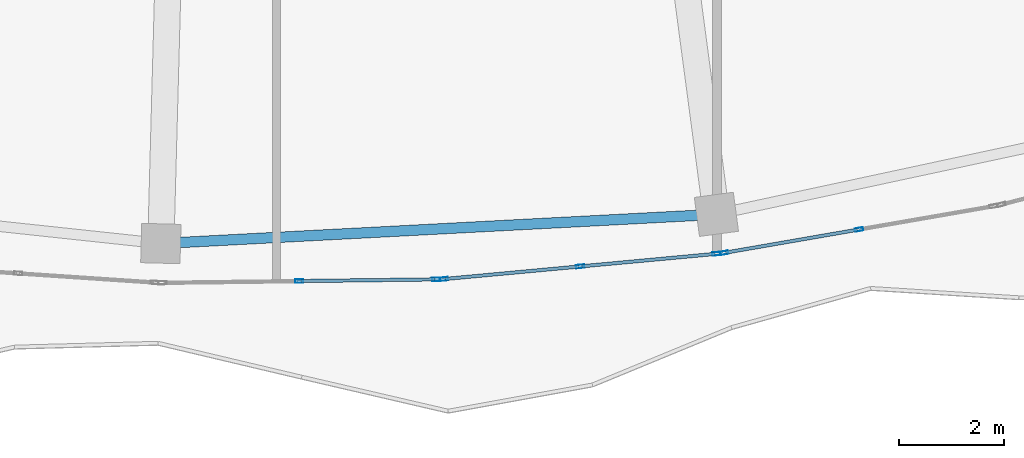
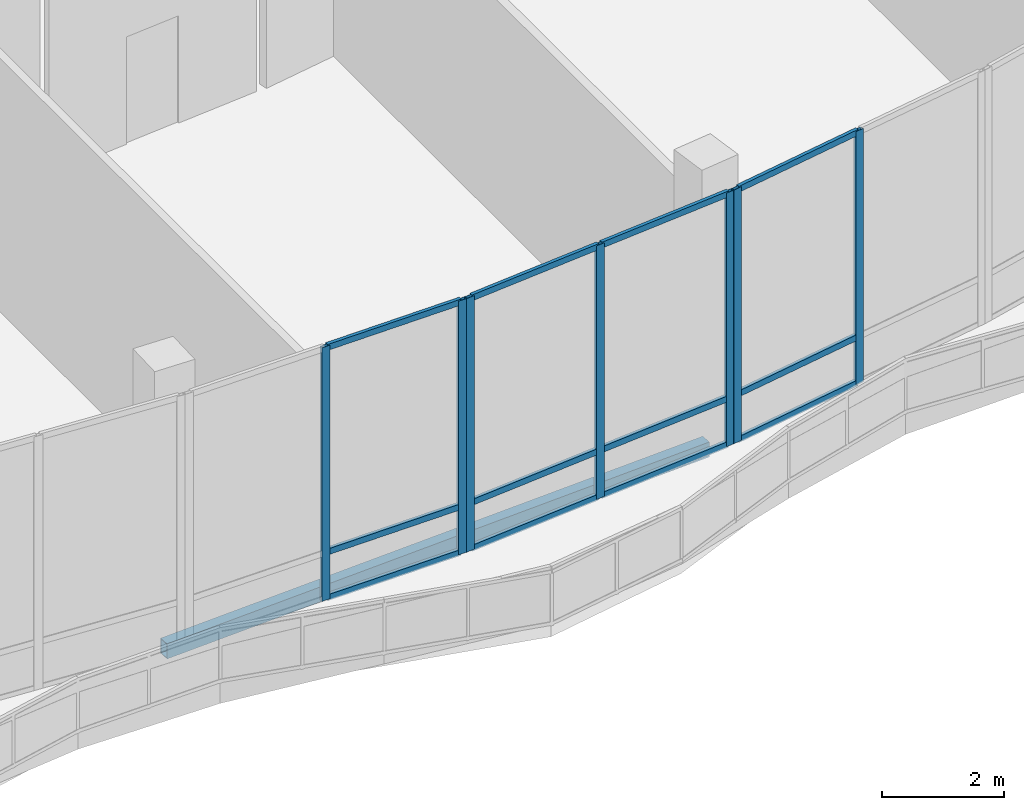
# One storey, part 27 of 158: 19 members, 1 beam, 3 elements without a shape of their own.
"""IFC4 building model written with IfcOpenShell, lengths in metres."""

from ifc_helpers import new_model, si_unit, direction, frame, origin, origin_2d, place, context, subcontext, project, spatial, hollow_rectangle, extrude, material, material_profile, profile_set, type_object, element, aggregate, save


model = new_model("IFC4")

# Units and contexts
model_context = context("Model", 3, precision=1e-05, world=origin(), true_north=direction((0.0, 1.0)))
body_context = subcontext(model_context, "Body", "Model", "MODEL_VIEW")
ifc_project = project(units=[si_unit("LENGTHUNIT", "METRE"), si_unit("AREAUNIT", "SQUARE_METRE"), si_unit("VOLUMEUNIT", "CUBIC_METRE"), si_unit("PLANEANGLEUNIT", "RADIAN"), si_unit("MASSUNIT", "GRAM", prefix="KILO")], contexts=[model_context])

# Site, building, storey
site_placement = place(None, origin())
site = spatial("IfcSite", under=ifc_project, at=site_placement, CompositionType="ELEMENT")
building_placement = place(site_placement, origin())
building = spatial("IfcBuilding", under=site, at=building_placement, Name="Selatvlak General Hospital", CompositionType="ELEMENT")
storey_placement = place(building_placement, origin())
storey = spatial("IfcBuildingStorey", under=building, at=storey_placement, Name="L00", CompositionType="ELEMENT", Elevation=0.0)

# Beam
ifc_material_1 = material(Name="Steel S355", Category="steel")
ifc_material_profile_1 = material_profile(ifc_material_1, hollow_rectangle(XDim=0.199951171875, YDim=0.300048828125, WallThickness=0.011962890625, at=origin_2d()), Name="RHS 300x200x12")
ifc_profile_set_1 = profile_set([ifc_material_profile_1], Name="Steel S355")
beam_type = type_object("IfcBeamType", Name="BM-SP3", PredefinedType="SPANDREL", material=ifc_profile_set_1)
beam_placement = place(storey_placement, frame((54.196044921875, 12.77490234375, -0.5), z_axis=(0.998624623926, 0.052429576466, 0.0), x_axis=(-0.052429576466, 0.998624623926, 0.0)))
element("IfcBeam", 1, at=beam_placement, inside=storey, type_object=beam_type, Name="Beam BMR-L00-0371", PredefinedType="SPANDREL", context=body_context, shape_type="SweptSolid", body=[
    extrude(hollow_rectangle(XDim=0.199951171875, YDim=0.300048828125, WallThickness=0.011962890625, at=origin_2d()), origin(), (0.0, 0.0, 1.0), 10.607666015625),
])

# Curtain wall, members
ifc_material_2 = material(Name="Solar-control Low-E double glazing", Category="glass")
curtain_wall_type_1 = type_object("IfcCurtainWallType", Name="CW-CW-02", PredefinedType="USERDEFINED", material=ifc_material_2)
curtain_wall_1_placement = place(storey_placement, origin())
curtain_wall_1 = element("IfcCurtainWall", 2, at=curtain_wall_1_placement, inside=storey, type_object=curtain_wall_type_1, Name="Glazed facade curtain wall CW-L00-0052", ObjectType="UNITISED CURTAIN WALL", PredefinedType="USERDEFINED")
ifc_material_3 = material(Name="Dark anodised aluminium mullion", Category="aluminium")
ifc_material_profile_2 = material_profile(ifc_material_3, hollow_rectangle(XDim=0.06494140625, YDim=0.159912109375, WallThickness=0.00390625, at=origin_2d()), Name="AL-MUL 65x160x4")
ifc_profile_set_2 = profile_set([ifc_material_profile_2], Name="Dark anodised aluminium mullion")
member_type_1 = type_object("IfcMemberType", Name="CWM-01", PredefinedType="MULLION", material=ifc_profile_set_2)
member_1_placement = place(storey_placement, frame((67.508056640625, 13.04248046875, 0.0), z_axis=(0.0, 0.0, 1.0), x_axis=(0.170838151242, -0.985299104881, 0.0)))
member_1 = element("IfcMember", 3, at=member_1_placement, type_object=member_type_1, Name="CW-02 mullion 2", PredefinedType="MULLION", context=body_context, shape_type="SweptSolid", body=[
    extrude(hollow_rectangle(XDim=0.06494140625, YDim=0.159912109375, WallThickness=0.00390625, at=origin_2d()), origin(), (0.0, 0.0, 1.0), 5.080078125),
])
member_2_placement = place(storey_placement, frame((64.93603515625, 12.596435546875, 0.0), z_axis=(0.0, 0.0, 1.0), x_axis=(0.170838151242, -0.985299104881, 0.0)))
member_2 = element("IfcMember", 4, at=member_2_placement, type_object=member_type_1, Name="CW-02 mullion 3", PredefinedType="MULLION", context=body_context, shape_type="SweptSolid", body=[
    extrude(hollow_rectangle(XDim=0.06494140625, YDim=0.159912109375, WallThickness=0.00390625, at=origin_2d()), origin(), (0.0, 0.0, 1.0), 5.080078125),
])

curtain_wall_type_2 = type_object("IfcCurtainWallType", Name="CW-CW-01", PredefinedType="USERDEFINED", material=ifc_material_2)
curtain_wall_2_placement = place(storey_placement, origin())
curtain_wall_2 = element("IfcCurtainWall", 5, at=curtain_wall_2_placement, inside=storey, type_object=curtain_wall_type_2, Name="Glazed facade curtain wall CW-L00-0053", ObjectType="UNITISED CURTAIN WALL", PredefinedType="USERDEFINED")
member_3_placement = place(storey_placement, frame((64.791748046875, 12.5791015625, 0.0), z_axis=(0.0, 0.0, 1.0), x_axis=(0.092291967773, -0.995731988381, 0.0)))
member_3 = element("IfcMember", 6, at=member_3_placement, type_object=member_type_1, Name="CW-01 mullion 1", PredefinedType="MULLION", context=body_context, shape_type="SweptSolid", body=[
    extrude(hollow_rectangle(XDim=0.06494140625, YDim=0.159912109375, WallThickness=0.00390625, at=origin_2d()), origin(), (0.0, 0.0, 1.0), 5.080078125),
])
member_4_placement = place(storey_placement, frame((62.19140625, 12.337890625, 0.0), z_axis=(0.0, 0.0, 1.0), x_axis=(0.092291967773, -0.995731988381, 0.0)))
member_4 = element("IfcMember", 7, at=member_4_placement, type_object=member_type_1, Name="CW-01 mullion 2", PredefinedType="MULLION", context=body_context, shape_type="SweptSolid", body=[
    extrude(hollow_rectangle(XDim=0.06494140625, YDim=0.159912109375, WallThickness=0.00390625, at=origin_2d()), origin(), (0.0, 0.0, 1.0), 5.080078125),
])
member_5_placement = place(storey_placement, frame((59.59130859375, 12.096923828125, 0.0), z_axis=(0.0, 0.0, 1.0), x_axis=(0.092291967773, -0.995731988381, 0.0)))
member_5 = element("IfcMember", 8, at=member_5_placement, type_object=member_type_1, Name="CW-01 mullion 3", PredefinedType="MULLION", context=body_context, shape_type="SweptSolid", body=[
    extrude(hollow_rectangle(XDim=0.06494140625, YDim=0.159912109375, WallThickness=0.00390625, at=origin_2d()), origin(), (0.0, 0.0, 1.0), 5.080078125),
])

curtain_wall_3_placement = place(storey_placement, origin())
curtain_wall_3 = element("IfcCurtainWall", 9, at=curtain_wall_3_placement, inside=storey, type_object=curtain_wall_type_1, Name="Glazed facade curtain wall CW-L00-0054", ObjectType="UNITISED CURTAIN WALL", PredefinedType="USERDEFINED")
member_6_placement = place(storey_placement, frame((59.446533203125, 12.091552734375, 0.0), z_axis=(0.0, 0.0, 1.0), x_axis=(0.012671575694, -0.999919712362, 0.0)))
member_6 = element("IfcMember", 10, at=member_6_placement, type_object=member_type_1, Name="CW-02 mullion 1", PredefinedType="MULLION", context=body_context, shape_type="SweptSolid", body=[
    extrude(hollow_rectangle(XDim=0.06494140625, YDim=0.159912109375, WallThickness=0.00390625, at=origin_2d()), origin(), (0.0, 0.0, 1.0), 5.080078125),
])
member_7_placement = place(storey_placement, frame((56.83544921875, 12.05859375, 0.0), z_axis=(0.0, 0.0, 1.0), x_axis=(0.012671575694, -0.999919712362, 0.0)))
member_7 = element("IfcMember", 11, at=member_7_placement, type_object=member_type_1, Name="CW-02 mullion 2", PredefinedType="MULLION", context=body_context, shape_type="SweptSolid", body=[
    extrude(hollow_rectangle(XDim=0.06494140625, YDim=0.159912109375, WallThickness=0.00390625, at=origin_2d()), origin(), (0.0, 0.0, 1.0), 5.080078125),
])

# Member
ifc_material_profile_3 = material_profile(ifc_material_3, hollow_rectangle(XDim=0.06494140625, YDim=0.1201171875, WallThickness=0.00390625, at=origin_2d()), Name="AL-TRN 65x120x4")
ifc_profile_set_3 = profile_set([ifc_material_profile_3], Name="Dark anodised aluminium mullion")
member_type_2 = type_object("IfcMemberType", Name="CWT-01", PredefinedType="USERDEFINED", material=ifc_profile_set_3)
member_8_placement = place(storey_placement, frame((67.47607421875, 13.036865234375, 0.032470703125), z_axis=(-0.985302424737, -0.170819003062, 0.0), x_axis=(0.170819003062, -0.985302424737, 0.0)))
member_8 = element("IfcMember", 12, at=member_8_placement, type_object=member_type_2, Name="CW-02 transom 2.1", ObjectType="TRANSOM", PredefinedType="USERDEFINED", context=body_context, shape_type="SweptSolid", body=[
    extrude(hollow_rectangle(XDim=0.06494140625, YDim=0.1201171875, WallThickness=0.00390625, at=origin_2d()), origin(), (0.0, 0.0, 1.0), 2.54541015625),
])

member_9_placement = place(storey_placement, frame((67.47607421875, 13.036865234375, 0.949951171875), z_axis=(-0.985302424737, -0.170819003062, 0.0), x_axis=(0.170819003062, -0.985302424737, 0.0)))
member_9 = element("IfcMember", 13, at=member_9_placement, type_object=member_type_2, Name="CW-02 transom 2.2", ObjectType="TRANSOM", PredefinedType="USERDEFINED", context=body_context, shape_type="SweptSolid", body=[
    extrude(hollow_rectangle(XDim=0.06494140625, YDim=0.1201171875, WallThickness=0.00390625, at=origin_2d()), origin(), (0.0, 0.0, 1.0), 2.54541015625),
])

member_10_placement = place(storey_placement, frame((67.47607421875, 13.036865234375, 5.047607421875), z_axis=(-0.985302424737, -0.170819003062, 0.0), x_axis=(0.170819003062, -0.985302424737, 0.0)))
member_10 = element("IfcMember", 14, at=member_10_placement, type_object=member_type_2, Name="CW-02 transom 2.3", ObjectType="TRANSOM", PredefinedType="USERDEFINED", context=body_context, shape_type="SweptSolid", body=[
    extrude(hollow_rectangle(XDim=0.06494140625, YDim=0.1201171875, WallThickness=0.00390625, at=origin_2d()), origin(), (0.0, 0.0, 1.0), 2.54541015625),
])

aggregate(curtain_wall_1, [member_1, member_2, member_8, member_9, member_10])

member_11_placement = place(storey_placement, frame((64.75927734375, 12.575927734375, 0.032470703125), z_axis=(-0.995736924013, -0.092238702061, 0.0), x_axis=(0.092238702061, -0.995736924013, 0.0)))
member_11 = element("IfcMember", 15, at=member_11_placement, type_object=member_type_2, Name="CW-01 transom 1.1", ObjectType="TRANSOM", PredefinedType="USERDEFINED", context=body_context, shape_type="SweptSolid", body=[
    extrude(hollow_rectangle(XDim=0.06494140625, YDim=0.1201171875, WallThickness=0.00390625, at=origin_2d()), origin(), (0.0, 0.0, 1.0), 2.546142578125),
])

member_12_placement = place(storey_placement, frame((64.75927734375, 12.575927734375, 0.949951171875), z_axis=(-0.995736924013, -0.092238702061, 0.0), x_axis=(0.092238702061, -0.995736924013, 0.0)))
member_12 = element("IfcMember", 16, at=member_12_placement, type_object=member_type_2, Name="CW-01 transom 1.2", ObjectType="TRANSOM", PredefinedType="USERDEFINED", context=body_context, shape_type="SweptSolid", body=[
    extrude(hollow_rectangle(XDim=0.06494140625, YDim=0.1201171875, WallThickness=0.00390625, at=origin_2d()), origin(), (0.0, 0.0, 1.0), 2.546142578125),
])

member_13_placement = place(storey_placement, frame((64.75927734375, 12.575927734375, 5.047607421875), z_axis=(-0.995736924013, -0.092238702061, 0.0), x_axis=(0.092238702061, -0.995736924013, 0.0)))
member_13 = element("IfcMember", 17, at=member_13_placement, type_object=member_type_2, Name="CW-01 transom 1.3", ObjectType="TRANSOM", PredefinedType="USERDEFINED", context=body_context, shape_type="SweptSolid", body=[
    extrude(hollow_rectangle(XDim=0.06494140625, YDim=0.1201171875, WallThickness=0.00390625, at=origin_2d()), origin(), (0.0, 0.0, 1.0), 2.546142578125),
])

member_14_placement = place(storey_placement, frame((62.1591796875, 12.3349609375, 0.032470703125), z_axis=(-0.995736924013, -0.092238702061, 0.0), x_axis=(0.092238702061, -0.995736924013, 0.0)))
member_14 = element("IfcMember", 18, at=member_14_placement, type_object=member_type_2, Name="CW-01 transom 2.1", ObjectType="TRANSOM", PredefinedType="USERDEFINED", context=body_context, shape_type="SweptSolid", body=[
    extrude(hollow_rectangle(XDim=0.06494140625, YDim=0.1201171875, WallThickness=0.00390625, at=origin_2d()), origin(), (0.0, 0.0, 1.0), 2.546142578125),
])

member_15_placement = place(storey_placement, frame((62.1591796875, 12.3349609375, 0.949951171875), z_axis=(-0.995736924013, -0.092238702061, 0.0), x_axis=(0.092238702061, -0.995736924013, 0.0)))
member_15 = element("IfcMember", 19, at=member_15_placement, type_object=member_type_2, Name="CW-01 transom 2.2", ObjectType="TRANSOM", PredefinedType="USERDEFINED", context=body_context, shape_type="SweptSolid", body=[
    extrude(hollow_rectangle(XDim=0.06494140625, YDim=0.1201171875, WallThickness=0.00390625, at=origin_2d()), origin(), (0.0, 0.0, 1.0), 2.546142578125),
])

member_16_placement = place(storey_placement, frame((62.1591796875, 12.3349609375, 5.047607421875), z_axis=(-0.995736924013, -0.092238702061, 0.0), x_axis=(0.092238702061, -0.995736924013, 0.0)))
member_16 = element("IfcMember", 20, at=member_16_placement, type_object=member_type_2, Name="CW-01 transom 2.3", ObjectType="TRANSOM", PredefinedType="USERDEFINED", context=body_context, shape_type="SweptSolid", body=[
    extrude(hollow_rectangle(XDim=0.06494140625, YDim=0.1201171875, WallThickness=0.00390625, at=origin_2d()), origin(), (0.0, 0.0, 1.0), 2.546142578125),
])

aggregate(curtain_wall_2, [member_3, member_4, member_5, member_11, member_12, member_13, member_14, member_15, member_16])

member_17_placement = place(storey_placement, frame((59.4140625, 12.091064453125, 0.032470703125), z_axis=(-0.99991990962, -0.01265600039, 0.0), x_axis=(0.01265600039, -0.99991990962, 0.0)))
member_17 = element("IfcMember", 21, at=member_17_placement, type_object=member_type_2, Name="CW-02 transom 1.1", ObjectType="TRANSOM", PredefinedType="USERDEFINED", context=body_context, shape_type="SweptSolid", body=[
    extrude(hollow_rectangle(XDim=0.06494140625, YDim=0.1201171875, WallThickness=0.00390625, at=origin_2d()), origin(), (0.0, 0.0, 1.0), 2.54638671875),
])

member_18_placement = place(storey_placement, frame((59.4140625, 12.091064453125, 0.949951171875), z_axis=(-0.99991990962, -0.01265600039, 0.0), x_axis=(0.01265600039, -0.99991990962, 0.0)))
member_18 = element("IfcMember", 22, at=member_18_placement, type_object=member_type_2, Name="CW-02 transom 1.2", ObjectType="TRANSOM", PredefinedType="USERDEFINED", context=body_context, shape_type="SweptSolid", body=[
    extrude(hollow_rectangle(XDim=0.06494140625, YDim=0.1201171875, WallThickness=0.00390625, at=origin_2d()), origin(), (0.0, 0.0, 1.0), 2.54638671875),
])

member_19_placement = place(storey_placement, frame((59.4140625, 12.091064453125, 5.047607421875), z_axis=(-0.99991990962, -0.01265600039, 0.0), x_axis=(0.01265600039, -0.99991990962, 0.0)))
member_19 = element("IfcMember", 23, at=member_19_placement, type_object=member_type_2, Name="CW-02 transom 1.3", ObjectType="TRANSOM", PredefinedType="USERDEFINED", context=body_context, shape_type="SweptSolid", body=[
    extrude(hollow_rectangle(XDim=0.06494140625, YDim=0.1201171875, WallThickness=0.00390625, at=origin_2d()), origin(), (0.0, 0.0, 1.0), 2.54638671875),
])

aggregate(curtain_wall_3, [member_6, member_7, member_17, member_18, member_19])

save(model, "model.ifc")
